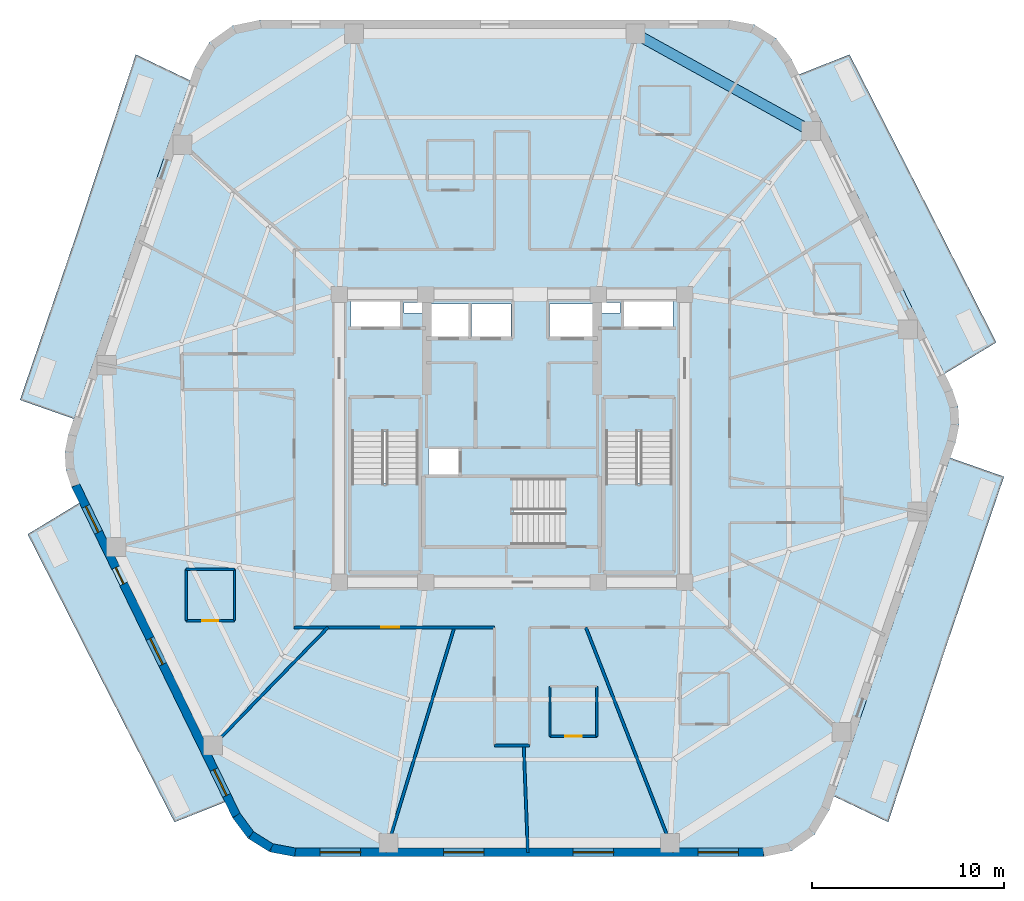
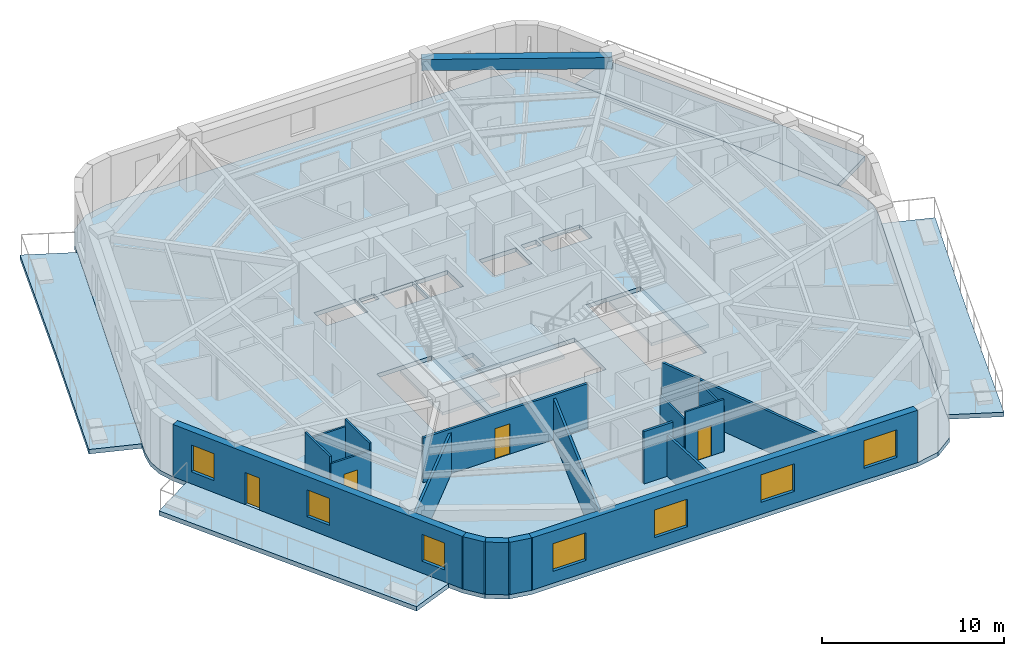
# One storey, part 2 of 9: 18 walls, 8 slabs, 7 windows, 4 doors, 1 beam, 11 openings, 3 elements without a shape of their own.
"""IFC4 building model written with IfcOpenShell, lengths in metres."""

from ifc_helpers import new_model, si_unit, direction, frame, frame_2d, origin, origin_2d, place, context, subcontext, project, spatial, polyline, rectangle, outline, extrude, material, layer, layer_set, material_profile, profile_set, type_object, element, fill, aggregate, save


model = new_model("IFC4")

# Units and contexts
model_context = context("Model", 3, precision=1e-05, world=origin(), true_north=direction((0.0, 1.0)))
body_context = subcontext(model_context, "Body", "Model", "MODEL_VIEW")
ifc_project = project(units=[si_unit("LENGTHUNIT", "METRE"), si_unit("AREAUNIT", "SQUARE_METRE"), si_unit("VOLUMEUNIT", "CUBIC_METRE"), si_unit("PLANEANGLEUNIT", "RADIAN"), si_unit("MASSUNIT", "GRAM", prefix="KILO")], contexts=[model_context])

# Site, building, storey
site_placement = place(None, origin())
site = spatial("IfcSite", under=ifc_project, at=site_placement, CompositionType="ELEMENT")
building_placement = place(site_placement, origin())
building = spatial("IfcBuilding", under=site, at=building_placement, Name="Kilnhurst Terrace Hotel", CompositionType="ELEMENT")
storey_placement = place(building_placement, frame((0.0, 0.0, 236.89990234375)))
storey = spatial("IfcBuildingStorey", under=building, at=storey_placement, Name="L59", CompositionType="ELEMENT", Elevation=236.89990234375)

# Beam
ifc_material_1 = material(Name="Concrete C50/60", Category="concrete")
ifc_material_profile = material_profile(ifc_material_1, rectangle(XDim=0.550048828125, YDim=0.75, at=origin_2d()), Name="RC550X750")
ifc_profile_set = profile_set([ifc_material_profile], Name="Concrete C50/60")
beam_type = type_object("IfcBeamType", Name="BM-SPN-550X750", PredefinedType="SPANDREL", material=ifc_profile_set)
beam_placement = place(storey_placement, frame((15.5869140625, 16.012939453125, 3.125), z_axis=(-0.874970333121, 0.484176534085, 0.0), x_axis=(-0.484176534085, -0.874970333121, 0.0)))
element("IfcBeam", 1, at=beam_placement, inside=storey, type_object=beam_type, Name="L59 Perimeter Spandrel Beam 6", PredefinedType="SPANDREL", context=body_context, shape_type="SweptSolid", body=[
    extrude(rectangle(XDim=0.550048828125, YDim=0.75, at=origin_2d()), origin(), (0.0, 0.0, 1.0), 10.465576171875),
])

# Slabs
ifc_layer_1 = layer(ifc_material_1, 0.300048828125, Name="Concrete C50/60")
ifc_layer_set_1 = layer_set([ifc_layer_1], Name="Concrete C50/60")
slab_type_1 = type_object("IfcSlabType", Name="SLB-BAL-300", PredefinedType="FLOOR", material=ifc_layer_set_1)
slab_1_placement = place(storey_placement, frame((0.0, 0.0, -0.2998046875)))
element("IfcSlab", 2, at=slab_1_placement, inside=storey, type_object=slab_type_1, Name="L59 Cantilevered Planted Terrace Slab BAL-L1A", PredefinedType="FLOOR", context=body_context, shape_type="SweptSolid", body=[
    extrude(outline(polyline([(22.650146484375, -10.76171875), (19.604736328125, -20.0), (16.75830078125, -18.64208984375), (22.8193359375, -1.010498046875), (25.638916015625, -2.0), (22.650146484375, -10.76171875)])), origin(), (0.0, 0.0, 1.0), 0.2998046875),
])
slab_2_placement = place(storey_placement, frame((0.0, 0.0, -0.2998046875)))
element("IfcSlab", 3, at=slab_2_placement, inside=storey, type_object=slab_type_1, Name="L59 Cantilevered Planted Terrace Slab BAL-L1B", PredefinedType="FLOOR", context=body_context, shape_type="SweptSolid", body=[
    extrude(outline(polyline([(25.237548828125, 5.0), (22.527587890625, 3.356201171875), (14.93505859375, 18.95068359375), (17.5888671875, 20.0), (21.440185546875, 12.465576171875), (25.237548828125, 5.0)])), origin(), (0.0, 0.0, 1.0), 0.2998046875),
])
slab_3_placement = place(storey_placement, frame((0.0, 0.0, -0.2998046875)))
element("IfcSlab", 4, at=slab_3_placement, inside=storey, type_object=slab_type_1, Name="L59 Cantilevered Planted Terrace Slab BAL-L2A", PredefinedType="FLOOR", context=body_context, shape_type="SweptSolid", body=[
    extrude(outline(polyline([(-19.604736328125, 20.0), (-16.75830078125, 18.64208984375), (-22.8193359375, 1.010498046875), (-25.638916015625, 2.0), (-22.650146484375, 10.76171875), (-19.604736328125, 20.0)])), origin(), (0.0, 0.0, 1.0), 0.2998046875),
])
slab_4_placement = place(storey_placement, frame((0.0, 0.0, -0.2998046875)))
element("IfcSlab", 5, at=slab_4_placement, inside=storey, type_object=slab_type_1, Name="L59 Cantilevered Planted Terrace Slab BAL-L2B", PredefinedType="FLOOR", context=body_context, shape_type="SweptSolid", body=[
    extrude(outline(polyline([(-25.237548828125, -5.0), (-22.527587890625, -3.356201171875), (-14.93505859375, -18.95068359375), (-17.5888671875, -20.0), (-21.440185546875, -12.465576171875), (-25.237548828125, -5.0)])), origin(), (0.0, 0.0, 1.0), 0.2998046875),
])
ifc_layer_2 = layer(ifc_material_1, 0.280029296875, Name="Concrete C50/60")
ifc_layer_set_2 = layer_set([ifc_layer_2], Name="Concrete C50/60")
slab_type_2 = type_object("IfcSlabType", Name="SLB-FLR-280", PredefinedType="FLOOR", material=ifc_layer_set_2)
slab_5_placement = place(storey_placement, frame((0.0, 0.0, -0.27978515625)))
element("IfcSlab", 6, at=slab_5_placement, inside=storey, type_object=slab_type_2, Name="L59 Structural Floor Slab", PredefinedType="FLOOR", context=body_context, shape_type="SweptSolid", body=[
    extrude(outline(polyline([(-14.555419921875, -19.77587890625), (-13.759765625, -20.845947265625), (-12.629150390625, -21.552978515625), (-11.318603515625, -21.800048828125), (13.124755859375, -21.800048828125), (14.5703125, -21.4970703125), (15.772705078125, -20.638916015625), (16.529296875, -19.370361328125), (23.1162109375, -0.208740234375), (23.302978515625, 0.710693359375), (23.24560546875, 1.6474609375), (22.948486328125, 2.537353515625), (14.555419921875, 19.77587890625), (13.759765625, 20.845947265625), (12.629150390625, 21.552978515625), (11.318603515625, 21.800048828125), (-13.124755859375, 21.800048828125), (-14.5703125, 21.4970703125), (-15.772705078125, 20.638916015625), (-16.529296875, 19.370361328125), (-23.1162109375, 0.208740234375), (-23.302978515625, -0.710693359375), (-23.24560546875, -1.6474609375), (-22.948486328125, -2.537353515625), (-14.555419921875, -19.77587890625)]), holes=[polyline([(-8.35009765625, 0.35498046875), (-4.8798828125, 0.35498046875), (-4.8798828125, -6.89990234375), (-8.35009765625, -6.89990234375), (-8.35009765625, 0.35498046875)]), polyline([(-2.800048828125, -1.89990234375), (-4.35009765625, -1.89990234375), (-4.35009765625, -0.550048828125), (-2.800048828125, -0.550048828125), (-2.800048828125, -1.89990234375)]), polyline([(-2.25, 5.25), (-4.300048828125, 5.25), (-4.300048828125, 7.0), (-2.25, 7.0), (-2.25, 5.25)]), polyline([(-2.1201171875, 5.25), (-2.1201171875, 7.0), (-0.050048828125, 7.0), (-0.050048828125, 5.25), (-2.1201171875, 5.25)]), polyline([(-8.39990234375, 5.75), (-8.39990234375, 7.14990234375), (-5.800048828125, 7.14990234375), (-5.800048828125, 5.75), (-8.39990234375, 5.75)]), polyline([(-4.659912109375, 6.52001953125), (-5.6201171875, 6.52001953125), (-5.6201171875, 7.080078125), (-4.659912109375, 7.080078125), (-4.659912109375, 6.52001953125)]), polyline([(2.7548828125, -5.550048828125), (-4.5, -5.550048828125), (-4.5, -2.080078125), (2.7548828125, -2.080078125), (2.7548828125, -5.550048828125)]), polyline([(8.35009765625, 0.35498046875), (8.35009765625, -6.89990234375), (4.8798828125, -6.89990234375), (4.8798828125, 0.35498046875), (8.35009765625, 0.35498046875)]), polyline([(4.300048828125, 5.25), (1.949951171875, 5.25), (1.949951171875, 7.0), (4.300048828125, 7.0), (4.300048828125, 5.25)]), polyline([(5.800048828125, 5.75), (5.800048828125, 7.14990234375), (8.39990234375, 7.14990234375), (8.39990234375, 5.75), (5.800048828125, 5.75)]), polyline([(4.659912109375, 6.52001953125), (4.659912109375, 7.080078125), (5.6201171875, 7.080078125), (5.6201171875, 6.52001953125), (4.659912109375, 6.52001953125)])]), origin(), (0.0, 0.0, 1.0), 0.27978515625),
])

# Stair, slab
stair_type = type_object("IfcStairType", Name="STR-CORE-1660", PredefinedType="HALF_TURN_STAIR", material=ifc_material_1)
stair_1_placement = place(storey_placement, origin())
stair_1 = element("IfcStair", 7, at=stair_1_placement, inside=storey, type_object=stair_type, Name="L59 ST-1", PredefinedType="HALF_TURN_STAIR")
ifc_layer_3 = layer(ifc_material_1, 0.199951171875, Name="Concrete C50/60")
ifc_layer_set_3 = layer_set([ifc_layer_3], Name="Concrete C50/60")
slab_type_3 = type_object("IfcSlabType", Name="SLB-ST-LND-200", PredefinedType="LANDING", material=ifc_layer_set_3)
slab_6_placement = place(storey_placement, frame((0.0, 0.0, 1.7001953125)))
slab_6 = element("IfcSlab", 8, at=slab_6_placement, type_object=slab_type_3, Name="ST-1 landing 1", PredefinedType="LANDING", context=body_context, shape_type="SweptSolid", body=[
    extrude(outline(polyline([(-8.429931640625, -2.330078125), (-4.800048828125, -2.330078125), (-4.800048828125, -6.97998046875), (-8.429931640625, -6.97998046875), (-8.429931640625, -2.330078125)])), origin(), (0.0, 0.0, 1.0), 0.199951171875),
])
aggregate(stair_1, [slab_6])

stair_2_placement = place(storey_placement, origin())
stair_2 = element("IfcStair", 9, at=stair_2_placement, inside=storey, type_object=stair_type, Name="L59 ST-2", PredefinedType="HALF_TURN_STAIR")
slab_7_placement = place(storey_placement, frame((0.0, 0.0, 1.7001953125)))
slab_7 = element("IfcSlab", 10, at=slab_7_placement, type_object=slab_type_3, Name="ST-2 landing 1", PredefinedType="LANDING", context=body_context, shape_type="SweptSolid", body=[
    extrude(outline(polyline([(4.800048828125, -2.330078125), (8.429931640625, -2.330078125), (8.429931640625, -6.97998046875), (4.800048828125, -6.97998046875), (4.800048828125, -2.330078125)])), origin(), (0.0, 0.0, 1.0), 0.199951171875),
])
aggregate(stair_2, [slab_7])

stair_3_placement = place(storey_placement, origin())
stair_3 = element("IfcStair", 11, at=stair_3_placement, inside=storey, type_object=stair_type, Name="L59 ST-3", PredefinedType="HALF_TURN_STAIR")
slab_8_placement = place(storey_placement, frame((0.0, 0.0, 1.7001953125)))
slab_8 = element("IfcSlab", 12, at=slab_8_placement, type_object=slab_type_3, Name="ST-3 landing 1", PredefinedType="LANDING", context=body_context, shape_type="SweptSolid", body=[
    extrude(outline(polyline([(0.070068359375, -2.0), (0.070068359375, -5.6298828125), (-4.580078125, -5.6298828125), (-4.580078125, -2.0), (0.070068359375, -2.0)])), origin(), (0.0, 0.0, 1.0), 0.199951171875),
])
aggregate(stair_3, [slab_8])

# Walls
ifc_material_2 = material(Name="Precast concrete C40/50", Category="concrete")
ifc_layer_4 = layer(ifc_material_2, 0.449951171875, Name="Precast concrete C40/50")
ifc_layer_set_4 = layer_set([ifc_layer_4], Name="Precast concrete C40/50")
wall_type_1 = type_object("IfcWallType", Name="WL-BRK-450", PredefinedType="SOLIDWALL", material=ifc_layer_set_4)
wall_1_placement = place(storey_placement, frame((-14.3623046875, -19.658447265625, 0.0), z_axis=(0.0, 0.0, 1.0), x_axis=(0.596642462792, -0.80250717853, 0.0)))
element("IfcWall", 13, at=wall_1_placement, inside=storey, type_object=wall_type_1, Name="L59 Rounded Corner Brick Wall C1.1", PredefinedType="SOLIDWALL", context=body_context, shape_type="SweptSolid", body=[
    extrude(rectangle(XDim=1.27001953125, YDim=0.449951171875, at=frame_2d((0.635009765625, 0.0))), origin(), (0.0, 0.0, 1.0), 3.5),
])
wall_2_placement = place(storey_placement, frame((-13.6044921875, -20.677734375, 0.0), z_axis=(0.0, 0.0, 1.0), x_axis=(0.847910404124, -0.53013955387, 0.0)))
element("IfcWall", 14, at=wall_2_placement, inside=storey, type_object=wall_type_1, Name="L59 Rounded Corner Brick Wall C1.2", PredefinedType="SOLIDWALL", context=body_context, shape_type="SweptSolid", body=[
    extrude(rectangle(XDim=1.24853515625, YDim=0.449951171875, at=frame_2d((0.624267578125, 0.0))), origin(), (0.0, 0.0, 1.0), 3.5),
])
wall_3_placement = place(storey_placement, frame((-12.5458984375, -21.339599609375, 0.0), z_axis=(0.0, 0.0, 1.0), x_axis=(0.982686750835, -0.18527479519, 0.0)))
element("IfcWall", 15, at=wall_3_placement, inside=storey, type_object=wall_type_1, Name="L59 Rounded Corner Brick Wall C1.3", PredefinedType="SOLIDWALL", context=body_context, shape_type="SweptSolid", body=[
    extrude(rectangle(XDim=1.270263671875, YDim=0.449951171875, at=frame_2d((0.63525390625, 0.0))), origin(), (0.0, 0.0, 1.0), 3.5),
])

# Wall, openings, windows
wall_4_placement = place(storey_placement, frame((-11.297607421875, -21.574951171875, 0.0), z_axis=(0.0, 0.0, 1.0), x_axis=(1.0, 0.0, 0.0)))
wall_4 = element("IfcWall", 16, at=wall_4_placement, inside=storey, type_object=wall_type_1, Name="L59 Exterior Brick Facade Wall F1", PredefinedType="SOLIDWALL", context=body_context, shape_type="SweptSolid", body=[
    extrude(rectangle(XDim=24.399169921875, YDim=0.449951171875, at=frame_2d((12.19970703125, 0.0))), origin(), (0.0, 0.0, 1.0), 3.5),
])
opening_1_placement = place(wall_4_placement, frame((1.303955078125, 0.0, 0.800048828125)))
opening_1 = element("IfcOpeningElement", 17, at=opening_1_placement, cuts=wall_4, Name="Opening W-04", PredefinedType="OPENING", context=body_context, shape_type="SweptSolid", body=[
    extrude(rectangle(XDim=2.10009765625, YDim=1.85009765625, at=frame_2d((1.050048828125, 0.925048828125))), frame((0.0, 0.23486328125, 0.0), z_axis=(0.0, -1.0, 0.0), x_axis=(1.0, 0.0, 0.0)), (0.0, 0.0, 1.0), 0.469970703125),
])
opening_2_placement = place(wall_4_placement, frame((7.735107421875, 0.0, 0.800048828125)))
opening_2 = element("IfcOpeningElement", 18, at=opening_2_placement, cuts=wall_4, Name="Opening W-04", PredefinedType="OPENING", context=body_context, shape_type="SweptSolid", body=[
    extrude(rectangle(XDim=2.10009765625, YDim=1.85009765625, at=frame_2d((1.050048828125, 0.925048828125))), frame((0.0, 0.23486328125, 0.0), z_axis=(0.0, -1.0, 0.0), x_axis=(1.0, 0.0, 0.0)), (0.0, 0.0, 1.0), 0.469970703125),
])
opening_3_placement = place(wall_4_placement, frame((14.488037109375, 0.0, 0.800048828125)))
opening_3 = element("IfcOpeningElement", 19, at=opening_3_placement, cuts=wall_4, Name="Opening W-04", PredefinedType="OPENING", context=body_context, shape_type="SweptSolid", body=[
    extrude(rectangle(XDim=2.10009765625, YDim=1.85009765625, at=frame_2d((1.050048828125, 0.925048828125))), frame((0.0, 0.23486328125, 0.0), z_axis=(0.0, -1.0, 0.0), x_axis=(1.0, 0.0, 0.0)), (0.0, 0.0, 1.0), 0.469970703125),
])
opening_4_placement = place(wall_4_placement, frame((20.99609375, 0.0, 0.800048828125)))
opening_4 = element("IfcOpeningElement", 20, at=opening_4_placement, cuts=wall_4, Name="Opening W-04", PredefinedType="OPENING", context=body_context, shape_type="SweptSolid", body=[
    extrude(rectangle(XDim=2.10009765625, YDim=1.85009765625, at=frame_2d((1.050048828125, 0.925048828125))), frame((0.0, 0.23486328125, 0.0), z_axis=(0.0, -1.0, 0.0), x_axis=(1.0, 0.0, 0.0)), (0.0, 0.0, 1.0), 0.469970703125),
])
ifc_material_3 = material(Name="Thermally Broken Bronze Aluminium Alloy 6063-T6 and Low-E Glass", Category="aluminium")
window_type_1 = type_object("IfcWindowType", Name="WIN-2100X1850", PartitioningType="SINGLE_PANEL", PredefinedType="WINDOW", material=ifc_material_3)
window_1_placement = place(opening_1_placement, origin())
window_1 = element("IfcWindow", 21, at=window_1_placement, inside=storey, type_object=window_type_1, Name="L59 Deep-Set Masonry Window F1.1", OverallHeight=1.85009765625, OverallWidth=2.10009765625, PartitioningType="SINGLE_PANEL", PredefinedType="WINDOW", context=body_context, shape_type="SweptSolid", body=[
    extrude(rectangle(XDim=2.10009765625, YDim=1.85009765625, at=frame_2d((1.050048828125, 0.925048828125))), frame((0.0, 0.030029296875, 0.0), z_axis=(0.0, -1.0, 0.0), x_axis=(1.0, 0.0, 0.0)), (0.0, 0.0, 1.0), 0.06005859375),
])
fill(opening_1, window_1)
window_2_placement = place(opening_2_placement, origin())
window_2 = element("IfcWindow", 22, at=window_2_placement, inside=storey, type_object=window_type_1, Name="L59 Deep-Set Masonry Window F1.2", OverallHeight=1.85009765625, OverallWidth=2.10009765625, PartitioningType="SINGLE_PANEL", PredefinedType="WINDOW", context=body_context, shape_type="SweptSolid", body=[
    extrude(rectangle(XDim=2.10009765625, YDim=1.85009765625, at=frame_2d((1.050048828125, 0.925048828125))), frame((0.0, 0.030029296875, 0.0), z_axis=(0.0, -1.0, 0.0), x_axis=(1.0, 0.0, 0.0)), (0.0, 0.0, 1.0), 0.06005859375),
])
fill(opening_2, window_2)
window_3_placement = place(opening_3_placement, origin())
window_3 = element("IfcWindow", 23, at=window_3_placement, inside=storey, type_object=window_type_1, Name="L59 Deep-Set Masonry Window F1.3", OverallHeight=1.85009765625, OverallWidth=2.10009765625, PartitioningType="SINGLE_PANEL", PredefinedType="WINDOW", context=body_context, shape_type="SweptSolid", body=[
    extrude(rectangle(XDim=2.10009765625, YDim=1.85009765625, at=frame_2d((1.050048828125, 0.925048828125))), frame((0.0, 0.030029296875, 0.0), z_axis=(0.0, -1.0, 0.0), x_axis=(1.0, 0.0, 0.0)), (0.0, 0.0, 1.0), 0.06005859375),
])
fill(opening_3, window_3)
window_4_placement = place(opening_4_placement, origin())
window_4 = element("IfcWindow", 24, at=window_4_placement, inside=storey, type_object=window_type_1, Name="L59 Deep-Set Masonry Window F1.4", OverallHeight=1.85009765625, OverallWidth=2.10009765625, PartitioningType="SINGLE_PANEL", PredefinedType="WINDOW", context=body_context, shape_type="SweptSolid", body=[
    extrude(rectangle(XDim=2.10009765625, YDim=1.85009765625, at=frame_2d((1.050048828125, 0.925048828125))), frame((0.0, 0.030029296875, 0.0), z_axis=(0.0, -1.0, 0.0), x_axis=(1.0, 0.0, 0.0)), (0.0, 0.0, 1.0), 0.06005859375),
])
fill(opening_4, window_4)

# Wall, openings, door, windows
wall_5_placement = place(storey_placement, frame((-22.73974609375, -2.4521484375, 0.0), z_axis=(0.0, 0.0, 1.0), x_axis=(0.437753424814, -0.899095066755, 0.0)))
wall_5 = element("IfcWall", 25, at=wall_5_placement, inside=storey, type_object=wall_type_1, Name="L59 Exterior Brick Facade Wall F6", PredefinedType="SOLIDWALL", context=body_context, shape_type="SweptSolid", body=[
    extrude(rectangle(XDim=19.137451171875, YDim=0.449951171875, at=frame_2d((9.56884765625, 0.0))), origin(), (0.0, 0.0, 1.0), 3.5),
])
opening_5_placement = place(wall_5_placement, frame((4.762939453125, 0.0, 0.0)))
opening_5 = element("IfcOpeningElement", 26, at=opening_5_placement, cuts=wall_5, Name="Opening BD-950", PredefinedType="OPENING", context=body_context, shape_type="SweptSolid", body=[
    extrude(rectangle(XDim=0.949951171875, YDim=2.14990234375, at=frame_2d((0.47509765625, 1.074951171875))), frame((0.0, 0.23486328125, 0.0), z_axis=(0.0, -1.0, 0.0), x_axis=(1.0, 0.0, 0.0)), (0.0, 0.0, 1.0), 0.469970703125),
])
opening_6_placement = place(wall_5_placement, frame((1.216064453125, 0.0, 0.800048828125)))
opening_6 = element("IfcOpeningElement", 27, at=opening_6_placement, cuts=wall_5, Name="Opening W-02", PredefinedType="OPENING", context=body_context, shape_type="SweptSolid", body=[
    extrude(rectangle(XDim=1.5, YDim=1.800048828125, at=frame_2d((0.75, 0.89990234375))), frame((0.0, 0.23486328125, 0.0), z_axis=(0.0, -1.0, 0.0), x_axis=(1.0, 0.0, 0.0)), (0.0, 0.0, 1.0), 0.469970703125),
])
opening_7_placement = place(wall_5_placement, frame((8.8701171875, 0.0, 0.800048828125)))
opening_7 = element("IfcOpeningElement", 28, at=opening_7_placement, cuts=wall_5, Name="Opening W-02", PredefinedType="OPENING", context=body_context, shape_type="SweptSolid", body=[
    extrude(rectangle(XDim=1.5, YDim=1.800048828125, at=frame_2d((0.75, 0.89990234375))), frame((0.0, 0.23486328125, 0.0), z_axis=(0.0, -1.0, 0.0), x_axis=(1.0, 0.0, 0.0)), (0.0, 0.0, 1.0), 0.469970703125),
])
opening_8_placement = place(wall_5_placement, frame((16.472900390625, 0.0, 0.800048828125)))
opening_8 = element("IfcOpeningElement", 29, at=opening_8_placement, cuts=wall_5, Name="Opening W-02", PredefinedType="OPENING", context=body_context, shape_type="SweptSolid", body=[
    extrude(rectangle(XDim=1.5, YDim=1.800048828125, at=frame_2d((0.75, 0.89990234375))), frame((0.0, 0.23486328125, 0.0), z_axis=(0.0, -1.0, 0.0), x_axis=(1.0, 0.0, 0.0)), (0.0, 0.0, 1.0), 0.469970703125),
])
ifc_material_4 = material(Name="Thermally Broken Bronze Aluminium Alloy 6063-T6 and Laminated Glass", Category="aluminium")
door_type_1 = type_object("IfcDoorType", Name="DR-EXT-BAL-950", OperationType="NOTDEFINED", PredefinedType="DOOR", material=ifc_material_4)
door_1_placement = place(opening_5_placement, origin())
door_1 = element("IfcDoor", 30, at=door_1_placement, inside=storey, type_object=door_type_1, Name="L59 Planted Balcony Door BAL-L2B", OperationType="SINGLE_SWING_RIGHT", OverallHeight=2.14990234375, OverallWidth=0.949951171875, PredefinedType="DOOR", context=body_context, shape_type="SweptSolid", body=[
    extrude(rectangle(XDim=0.949951171875, YDim=2.14990234375, at=frame_2d((0.47509765625, 1.074951171875))), frame((0.0, 0.02490234375, 0.0), z_axis=(0.0, -1.0, 0.0), x_axis=(1.0, 0.0, 0.0)), (0.0, 0.0, 1.0), 0.050048828125),
])
fill(opening_5, door_1)
window_type_2 = type_object("IfcWindowType", Name="WIN-1500X1800", PartitioningType="SINGLE_PANEL", PredefinedType="WINDOW", material=ifc_material_3)
window_5_placement = place(opening_6_placement, origin())
window_5 = element("IfcWindow", 31, at=window_5_placement, inside=storey, type_object=window_type_2, Name="L59 Deep-Set Masonry Window F6.1", OverallHeight=1.800048828125, OverallWidth=1.5, PartitioningType="SINGLE_PANEL", PredefinedType="WINDOW", context=body_context, shape_type="SweptSolid", body=[
    extrude(rectangle(XDim=1.5, YDim=1.800048828125, at=frame_2d((0.75, 0.89990234375))), frame((0.0, 0.030029296875, 0.0), z_axis=(0.0, -1.0, 0.0), x_axis=(1.0, 0.0, 0.0)), (0.0, 0.0, 1.0), 0.06005859375),
])
fill(opening_6, window_5)
window_6_placement = place(opening_7_placement, origin())
window_6 = element("IfcWindow", 32, at=window_6_placement, inside=storey, type_object=window_type_2, Name="L59 Deep-Set Masonry Window F6.2", OverallHeight=1.800048828125, OverallWidth=1.5, PartitioningType="SINGLE_PANEL", PredefinedType="WINDOW", context=body_context, shape_type="SweptSolid", body=[
    extrude(rectangle(XDim=1.5, YDim=1.800048828125, at=frame_2d((0.75, 0.89990234375))), frame((0.0, 0.030029296875, 0.0), z_axis=(0.0, -1.0, 0.0), x_axis=(1.0, 0.0, 0.0)), (0.0, 0.0, 1.0), 0.06005859375),
])
fill(opening_7, window_6)
window_7_placement = place(opening_8_placement, origin())
window_7 = element("IfcWindow", 33, at=window_7_placement, inside=storey, type_object=window_type_2, Name="L59 Deep-Set Masonry Window F6.3", OverallHeight=1.800048828125, OverallWidth=1.5, PartitioningType="SINGLE_PANEL", PredefinedType="WINDOW", context=body_context, shape_type="SweptSolid", body=[
    extrude(rectangle(XDim=1.5, YDim=1.800048828125, at=frame_2d((0.75, 0.89990234375))), frame((0.0, 0.030029296875, 0.0), z_axis=(0.0, -1.0, 0.0), x_axis=(1.0, 0.0, 0.0)), (0.0, 0.0, 1.0), 0.06005859375),
])
fill(opening_8, window_7)

# Wall
ifc_material_5 = material(Name="Acoustic Double-Gypsum Corridor Partition Assembly")
ifc_layer_5 = layer(ifc_material_5, 0.14990234375, Name="Acoustic Double-Gypsum Corridor Partition Assembly")
ifc_layer_set_5 = layer_set([ifc_layer_5], Name="Acoustic Double-Gypsum Corridor Partition Assembly")
wall_type_2 = type_object("IfcWallType", Name="WL-COR-150", PredefinedType="PARTITIONING", material=ifc_layer_set_5)
wall_6_placement = place(storey_placement, frame((0.919921875, -16.0, 0.0), z_axis=(0.0, 0.0, 1.0), x_axis=(-1.0, 0.0, 0.0)))
element("IfcWall", 34, at=wall_6_placement, inside=storey, type_object=wall_type_2, Name="L59 Interior Wall WL-L59-COR-18", PredefinedType="PARTITIONING", context=body_context, shape_type="SweptSolid", body=[
    extrude(rectangle(XDim=1.83984375, YDim=0.14990234375, at=frame_2d((0.919921875, 0.0))), origin(), (0.0, 0.0, 1.0), 3.5),
])

# Wall, opening, door
wall_7_placement = place(storey_placement, frame((-0.919921875, -9.85009765625, 0.0), z_axis=(0.0, 0.0, 1.0), x_axis=(-1.0, 0.0, 0.0)))
wall_7 = element("IfcWall", 35, at=wall_7_placement, inside=storey, type_object=wall_type_2, Name="L59 Interior Wall WL-L59-COR-20", PredefinedType="PARTITIONING", context=body_context, shape_type="SweptSolid", body=[
    extrude(rectangle(XDim=10.43017578125, YDim=0.14990234375, at=frame_2d((5.215087890625, 0.0))), origin(), (0.0, 0.0, 1.0), 2.989990234375),
])
opening_9_placement = place(wall_7_placement, frame((4.948974609375, 0.0, 0.0)))
opening_9 = element("IfcOpeningElement", 36, at=opening_9_placement, cuts=wall_7, Name="Opening D-60B", PredefinedType="OPENING", context=body_context, shape_type="SweptSolid", body=[
    extrude(rectangle(XDim=0.949951171875, YDim=2.030029296875, at=frame_2d((0.47509765625, 1.01513671875))), frame((0.0, 0.0849609375, 0.0), z_axis=(0.0, -1.0, 0.0), x_axis=(1.0, 0.0, 0.0)), (0.0, 0.0, 1.0), 0.169921875),
])
ifc_material_6 = material(Name="Acoustic Walnut Veneer Solid-Core Fire Door")
door_type_2 = type_object("IfcDoorType", Name="DR-FD60-950", OperationType="NOTDEFINED", PredefinedType="DOOR", material=ifc_material_6)
door_2_placement = place(opening_9_placement, origin())
door_2 = element("IfcDoor", 37, at=door_2_placement, inside=storey, type_object=door_type_2, Name="L59 Executive Boardroom Door", OperationType="SINGLE_SWING_LEFT", OverallHeight=2.030029296875, OverallWidth=0.949951171875, PredefinedType="DOOR", context=body_context, shape_type="SweptSolid", body=[
    extrude(rectangle(XDim=0.949951171875, YDim=2.030029296875, at=frame_2d((0.47509765625, 1.01513671875))), frame((0.0, 0.02490234375, 0.0), z_axis=(0.0, -1.0, 0.0), x_axis=(1.0, 0.0, 0.0)), (0.0, 0.0, 1.0), 0.050048828125),
])
fill(opening_9, door_2)

# Walls
ifc_material_7 = material(Name="STC-58 Acoustic Twin-Frame Guestroom Demising Partition")
ifc_layer_6 = layer(ifc_material_7, 0.14990234375, Name="STC-58 Acoustic Twin-Frame Guestroom Demising Partition")
ifc_layer_set_6 = layer_set([ifc_layer_6], Name="STC-58 Acoustic Twin-Frame Guestroom Demising Partition")
wall_type_3 = type_object("IfcWallType", Name="WL-DEM-150", PredefinedType="PARTITIONING", material=ifc_layer_set_6)
wall_8_placement = place(storey_placement, frame((-9.587890625, -9.85009765625, 0.0), z_axis=(0.0, 0.0, 1.0), x_axis=(-0.697519469595, -0.716565830567, 0.0)))
element("IfcWall", 38, at=wall_8_placement, inside=storey, type_object=wall_type_3, Name="L59 Interior Wall WL-L59-DEM-COL08-11-1", PredefinedType="PARTITIONING", context=body_context, shape_type="SweptSolid", body=[
    extrude(rectangle(XDim=9.12646484375, YDim=0.14990234375, at=frame_2d((4.563232421875, 0.0))), origin(), (0.0, 0.0, 1.0), 2.739990234375),
])
wall_9_placement = place(storey_placement, frame((-3.00439453125, -9.85009765625, 0.0), z_axis=(0.0, 0.0, 1.0), x_axis=(-0.291775760688, -0.956486751333, 0.0)))
element("IfcWall", 39, at=wall_9_placement, inside=storey, type_object=wall_type_3, Name="L59 Interior Wall WL-L59-DEM-COL09-12-1", PredefinedType="PARTITIONING", context=body_context, shape_type="SweptSolid", body=[
    extrude(rectangle(XDim=12.25830078125, YDim=0.14990234375, at=frame_2d((6.129150390625, 0.0))), origin(), (0.0, 0.0, 1.0), 2.739990234375),
])
wall_10_placement = place(storey_placement, frame((0.611572265625, -16.0, 0.0), z_axis=(0.0, 0.0, 1.0), x_axis=(0.038202877739, -0.999270003619, 0.0)))
element("IfcWall", 40, at=wall_10_placement, inside=storey, type_object=wall_type_3, Name="L59 Interior Wall WL-L59-DEM-MID09-13-1", PredefinedType="PARTITIONING", context=body_context, shape_type="SweptSolid", body=[
    extrude(rectangle(XDim=5.5791015625, YDim=0.14990234375, at=frame_2d((2.78955078125, 0.0))), origin(), (0.0, 0.0, 1.0), 2.739990234375),
])
wall_11_placement = place(storey_placement, frame((3.848388671875, -9.85009765625, 0.0), z_axis=(0.0, 0.0, 1.0), x_axis=(0.363921778212, -0.931429513889, 0.0)))
element("IfcWall", 41, at=wall_11_placement, inside=storey, type_object=wall_type_3, Name="L59 Interior Wall WL-L59-DEM-COL10-14-1", PredefinedType="PARTITIONING", context=body_context, shape_type="SweptSolid", body=[
    extrude(rectangle(XDim=12.588134765625, YDim=0.14990234375, at=frame_2d((6.2939453125, 0.0))), origin(), (0.0, 0.0, 1.0), 2.739990234375),
])

# Wall, opening, door
ifc_material_8 = material(Name="120 mm Moisture-Resistant Tile-Backed Bathroom Partition")
ifc_layer_7 = layer(ifc_material_8, 0.1201171875, Name="120 mm Moisture-Resistant Tile-Backed Bathroom Partition")
ifc_layer_set_7 = layer_set([ifc_layer_7], Name="120 mm Moisture-Resistant Tile-Backed Bathroom Partition")
wall_type_4 = type_object("IfcWallType", Name="WL-PART-120", PredefinedType="PARTITIONING", material=ifc_layer_set_7)
wall_12_placement = place(storey_placement, frame((-16.97998046875, -9.5048828125, 0.0), z_axis=(0.0, 0.0, 1.0), x_axis=(1.0, 0.0, 0.0)))
wall_12 = element("IfcWall", 42, at=wall_12_placement, inside=storey, type_object=wall_type_4, Name="L59 Interior Wall WL-L59-BTH-10-1", PredefinedType="PARTITIONING", context=body_context, shape_type="SweptSolid", body=[
    extrude(rectangle(XDim=2.52001953125, YDim=0.1201171875, at=frame_2d((1.260009765625, 0.0))), origin(), (0.0, 0.0, 1.0), 3.026611328125),
])
opening_10_placement = place(wall_12_placement, frame((0.8349609375, 0.0, 0.0)))
opening_10 = element("IfcOpeningElement", 43, at=opening_10_placement, cuts=wall_12, Name="Opening D-08A", PredefinedType="OPENING", context=body_context, shape_type="SweptSolid", body=[
    extrude(rectangle(XDim=0.85009765625, YDim=2.030029296875, at=frame_2d((0.425048828125, 1.01513671875))), frame((0.0, 0.070068359375, 0.0), z_axis=(0.0, -1.0, 0.0), x_axis=(1.0, 0.0, 0.0)), (0.0, 0.0, 1.0), 0.14013671875),
])
ifc_material_9 = material(Name="Moisture-Resistant Lacquered En-suite Bathroom Door")
door_type_3 = type_object("IfcDoorType", Name="DR-INT-850", OperationType="NOTDEFINED", PredefinedType="DOOR", material=ifc_material_9)
door_3_placement = place(opening_10_placement, origin())
door_3 = element("IfcDoor", 44, at=door_3_placement, inside=storey, type_object=door_type_3, Name="L59 En-suite Bathroom Door 10", OperationType="SINGLE_SWING_LEFT", OverallHeight=2.030029296875, OverallWidth=0.85009765625, PredefinedType="DOOR", context=body_context, shape_type="SweptSolid", body=[
    extrude(rectangle(XDim=0.85009765625, YDim=2.030029296875, at=frame_2d((0.425048828125, 1.01513671875))), frame((0.0, 0.02490234375, 0.0), z_axis=(0.0, -1.0, 0.0), x_axis=(1.0, 0.0, 0.0)), (0.0, 0.0, 1.0), 0.050048828125),
])
fill(opening_10, door_3)

# Walls
wall_13_placement = place(storey_placement, frame((-14.4599609375, -9.5048828125, 0.0), z_axis=(0.0, 0.0, 1.0), x_axis=(0.0, 1.0, 0.0)))
element("IfcWall", 45, at=wall_13_placement, inside=storey, type_object=wall_type_4, Name="L59 Interior Wall WL-L59-BTH-10-2", PredefinedType="PARTITIONING", context=body_context, shape_type="SweptSolid", body=[
    extrude(rectangle(XDim=2.679931640625, YDim=0.1201171875, at=frame_2d((1.33984375, 0.0))), origin(), (0.0, 0.0, 1.0), 3.5),
])
wall_14_placement = place(storey_placement, frame((-14.4599609375, -6.824951171875, 0.0), z_axis=(0.0, 0.0, 1.0), x_axis=(-1.0, 0.0, 0.0)))
element("IfcWall", 46, at=wall_14_placement, inside=storey, type_object=wall_type_4, Name="L59 Interior Wall WL-L59-BTH-10-3", PredefinedType="PARTITIONING", context=body_context, shape_type="SweptSolid", body=[
    extrude(rectangle(XDim=2.52001953125, YDim=0.1201171875, at=frame_2d((1.260009765625, 0.0))), origin(), (0.0, 0.0, 1.0), 3.026611328125),
])
wall_15_placement = place(storey_placement, frame((-16.97998046875, -6.824951171875, 0.0), z_axis=(0.0, 0.0, 1.0), x_axis=(0.0, -1.0, 0.0)))
element("IfcWall", 47, at=wall_15_placement, inside=storey, type_object=wall_type_4, Name="L59 Interior Wall WL-L59-BTH-10-4", PredefinedType="PARTITIONING", context=body_context, shape_type="SweptSolid", body=[
    extrude(rectangle(XDim=2.679931640625, YDim=0.1201171875, at=frame_2d((1.33984375, 0.0))), origin(), (0.0, 0.0, 1.0), 3.5),
])

# Wall, opening, door
wall_16_placement = place(storey_placement, frame((1.97802734375, -15.530029296875, 0.0), z_axis=(0.0, 0.0, 1.0), x_axis=(1.0, 0.0, 0.0)))
wall_16 = element("IfcWall", 48, at=wall_16_placement, inside=storey, type_object=wall_type_4, Name="L59 Interior Wall WL-L59-BTH-13-1", PredefinedType="PARTITIONING", context=body_context, shape_type="SweptSolid", body=[
    extrude(rectangle(XDim=2.43994140625, YDim=0.1201171875, at=frame_2d((1.219970703125, 0.0))), origin(), (0.0, 0.0, 1.0), 3.5),
])
opening_11_placement = place(wall_16_placement, frame((0.794921875, 0.0, 0.0)))
opening_11 = element("IfcOpeningElement", 49, at=opening_11_placement, cuts=wall_16, Name="Opening D-08A", PredefinedType="OPENING", context=body_context, shape_type="SweptSolid", body=[
    extrude(rectangle(XDim=0.85009765625, YDim=2.030029296875, at=frame_2d((0.425048828125, 1.01513671875))), frame((0.0, 0.070068359375, 0.0), z_axis=(0.0, -1.0, 0.0), x_axis=(1.0, 0.0, 0.0)), (0.0, 0.0, 1.0), 0.14013671875),
])
door_4_placement = place(opening_11_placement, origin())
door_4 = element("IfcDoor", 50, at=door_4_placement, inside=storey, type_object=door_type_3, Name="L59 En-suite Bathroom Door 13", OperationType="SINGLE_SWING_RIGHT", OverallHeight=2.030029296875, OverallWidth=0.85009765625, PredefinedType="DOOR", context=body_context, shape_type="SweptSolid", body=[
    extrude(rectangle(XDim=0.85009765625, YDim=2.030029296875, at=frame_2d((0.425048828125, 1.01513671875))), frame((0.0, 0.02490234375, 0.0), z_axis=(0.0, -1.0, 0.0), x_axis=(1.0, 0.0, 0.0)), (0.0, 0.0, 1.0), 0.050048828125),
])
fill(opening_11, door_4)

# Walls
for number, where, z_axis, x_axis, name in (
    (51, (4.41796875, -15.530029296875, 0.0), (0.0, 0.0, 1.0), (0.0, 1.0, 0.0), "L59 Interior Wall WL-L59-BTH-13-2"),
    (52, (1.97802734375, -12.919921875, 0.0), (0.0, 0.0, 1.0), (0.0, -1.0, 0.0), "L59 Interior Wall WL-L59-BTH-13-4"),
):
    element("IfcWall", number, at=place(storey_placement, frame(where, z_axis=z_axis, x_axis=x_axis)), inside=storey, type_object=wall_type_4, Name=name, PredefinedType="PARTITIONING", context=body_context, shape_type="SweptSolid", body=[
        extrude(rectangle(XDim=2.610107421875, YDim=0.1201171875, at=frame_2d((1.30517578125, 0.0))), origin(), (0.0, 0.0, 1.0), 3.026611328125),
    ])

save(model, "model.ifc")
